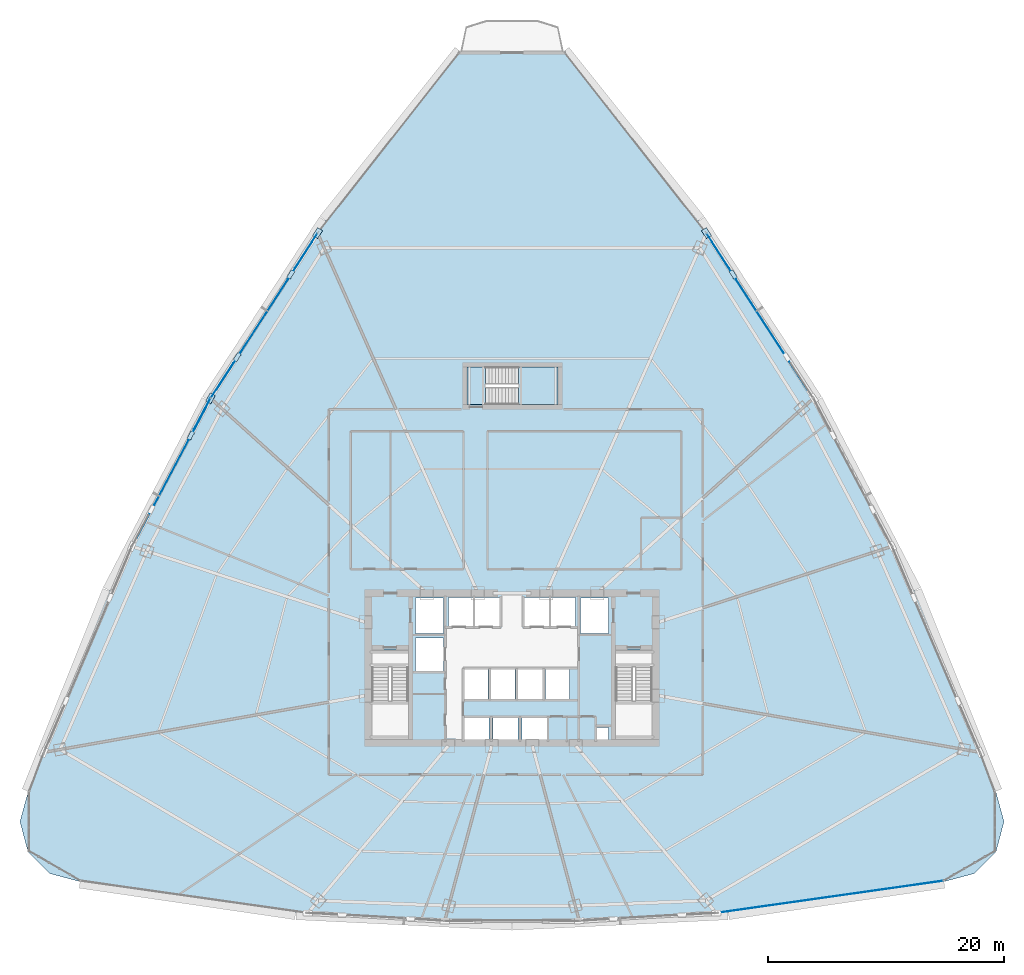
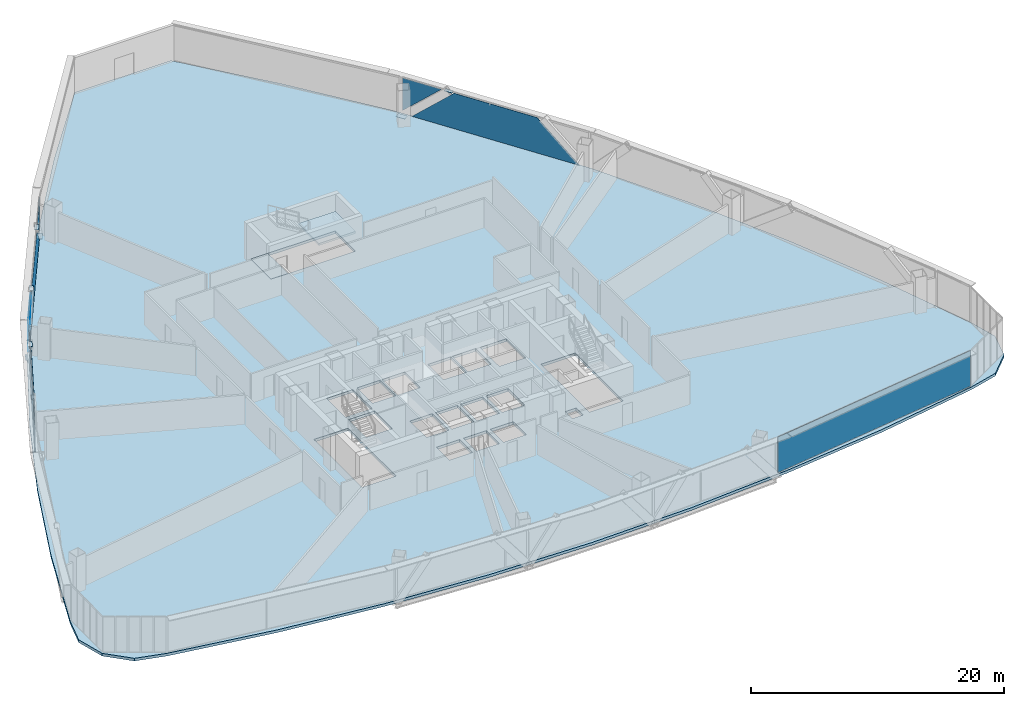
# One storey, part 31 of 41: 15 plates, 3 slabs, 5 elements without a shape of their own.
"""IFC4 building model written with IfcOpenShell, lengths in metres."""

from ifc_helpers import new_model, si_unit, direction, frame, origin, origin_2d, place, context, subcontext, project, spatial, polyline, rectangle, outline, extrude, source, transform, mapped, material, layer, layer_set, type_object, element, aggregate, save


model = new_model("IFC4")

# Units and contexts
model_context = context("Model", 3, precision=1e-05, world=origin(), true_north=direction((0.0, 1.0)))
body_context = subcontext(model_context, "Body", "Model", "MODEL_VIEW")
ifc_project = project(units=[si_unit("LENGTHUNIT", "METRE"), si_unit("AREAUNIT", "SQUARE_METRE"), si_unit("VOLUMEUNIT", "CUBIC_METRE"), si_unit("PLANEANGLEUNIT", "RADIAN"), si_unit("MASSUNIT", "GRAM", prefix="KILO"), si_unit("THERMODYNAMICTEMPERATUREUNIT", "KELVIN"), si_unit("POWERUNIT", "WATT")], contexts=[model_context])

# Site, building, storey
site_placement = place(None, origin())
site = spatial("IfcSite", under=ifc_project, at=site_placement, CompositionType="ELEMENT")
building_placement = place(site_placement, origin())
building = spatial("IfcBuilding", under=site, at=building_placement, Name="Yunzhuo Pagoda Commons", CompositionType="ELEMENT")
storey_placement = place(building_placement, frame((0.0, 0.0, 111.580078125)))
storey = spatial("IfcBuildingStorey", under=building, at=storey_placement, Name="L28", CompositionType="ELEMENT", Elevation=111.580078125)

# Curtain wall, plates
ifc_material_1 = material(Name="Anodized aluminium 6063-T6", Category="aluminium")
ifc_layer_1 = layer(ifc_material_1, 0.1650390625)
ifc_layer_set_1 = layer_set([ifc_layer_1], Name="Anodized aluminium 6063-T6")
curtain_wall_type = type_object("IfcCurtainWallType", Name="CW-LOW Low-Zone Ribbon Curtain Wall", PredefinedType="NOTDEFINED", material=ifc_layer_set_1)
curtain_wall_1_placement = place(storey_placement, origin())
curtain_wall_1 = element("IfcCurtainWall", 1, at=curtain_wall_1_placement, inside=storey, type_object=curtain_wall_type, Name="L28 curtain wall CW-L28-F2B4", PredefinedType="NOTDEFINED")
ifc_material_2 = material(Name="Tempered low-e double glazing", Category="glass")
ifc_layer_2 = layer(ifc_material_2, 0.028076171875)
ifc_layer_set_2 = layer_set([ifc_layer_2], Name="Tempered low-e double glazing")
plate_type_1 = type_object("IfcPlateType", Name="CW-LOW-P Low-E Double Glazing 28", PredefinedType="CURTAIN_PANEL", material=ifc_layer_set_2)
plate_1_placement = place(storey_placement, frame((69.01025390625, 63.730224609375, 1.77001953125), z_axis=(0.839105842503, 0.543968183884, 0.0), x_axis=(-0.543968183884, 0.839105842503, 0.0)))
plate_1 = element("IfcPlate", 2, at=plate_1_placement, type_object=plate_type_1, Name="CW panel 1.1 lite 2", PredefinedType="CURTAIN_PANEL", context=body_context, shape_type="SweptSolid", body=[
    extrude(outline(polyline([(-7.438720703125, -1.7099609375), (7.438720703125, -1.7099609375), (3.6787109375, 1.7099609375), (-3.6787109375, 1.7099609375), (-7.438720703125, -1.7099609375)])), origin(), (0.0, 0.0, 1.0), 0.028076171875),
])
plate_2_placement = place(storey_placement, frame((65.472900390625, 69.241943359375, 1.896240234375), z_axis=(0.839105842503, 0.543968183884, 0.0), x_axis=(-0.543968183884, 0.839105842503, 0.0)))
plate_2 = element("IfcPlate", 3, at=plate_2_placement, type_object=plate_type_1, Name="CW panel 1.1 lite 3", PredefinedType="CURTAIN_PANEL", context=body_context, shape_type="SweptSolid", body=[
    extrude(outline(polyline([(-1.740966796875, 1.58349609375), (1.740966796875, -1.58349609375), (1.740966796875, 1.58349609375), (-1.740966796875, 1.58349609375)])), origin(), (0.0, 0.0, 1.0), 0.028076171875),
])
aggregate(curtain_wall_1, [plate_1, plate_2])

curtain_wall_2_placement = place(storey_placement, origin())
curtain_wall_2 = element("IfcCurtainWall", 4, at=curtain_wall_2_placement, inside=storey, type_object=curtain_wall_type, Name="L28 curtain wall CW-L28-F3B2", PredefinedType="NOTDEFINED")
plate_3_placement = place(storey_placement, frame((30.527099609375, 69.241943359375, 1.896240234375), z_axis=(-0.839105842503, 0.543968183884, 0.0), x_axis=(-0.543968183884, -0.839105842503, 0.0)))
plate_3 = element("IfcPlate", 5, at=plate_3_placement, type_object=plate_type_1, Name="CW panel 1.1 lite 1", PredefinedType="CURTAIN_PANEL", context=body_context, shape_type="SweptSolid", body=[
    extrude(outline(polyline([(-1.740966796875, -1.58349609375), (1.740966796875, 1.58349609375), (-1.740966796875, 1.58349609375), (-1.740966796875, -1.58349609375)])), origin(), (0.0, 0.0, 1.0), 0.028076171875),
])
plate_4_placement = place(storey_placement, frame((26.98974609375, 63.730224609375, 1.77001953125), z_axis=(-0.839105842503, 0.543968183884, 0.0), x_axis=(-0.543968183884, -0.839105842503, 0.0)))
plate_4 = element("IfcPlate", 6, at=plate_4_placement, type_object=plate_type_1, Name="CW panel 1.1 lite 2", PredefinedType="CURTAIN_PANEL", context=body_context, shape_type="SweptSolid", body=[
    extrude(outline(polyline([(-7.438720703125, -1.7099609375), (7.438720703125, -1.7099609375), (3.6787109375, 1.7099609375), (-3.6787109375, 1.7099609375), (-7.438720703125, -1.7099609375)])), origin(), (0.0, 0.0, 1.0), 0.028076171875),
])
plate_5_placement = place(storey_placement, frame((23.402099609375, 58.251220703125, 1.896240234375), z_axis=(-0.839105842503, 0.543968183884, 0.0), x_axis=(-0.543968183884, -0.839105842503, 0.0)))
plate_5 = element("IfcPlate", 7, at=plate_5_placement, type_object=plate_type_1, Name="CW panel 1.1 lite 3", PredefinedType="CURTAIN_PANEL", context=body_context, shape_type="SweptSolid", body=[
    extrude(outline(polyline([(-1.740966796875, 1.58349609375), (1.740966796875, -1.58349609375), (1.740966796875, 1.58349609375), (-1.740966796875, 1.58349609375)])), origin(), (0.0, 0.0, 1.0), 0.028076171875),
])
aggregate(curtain_wall_2, [plate_3, plate_4, plate_5])

curtain_wall_3_placement = place(storey_placement, origin())
curtain_wall_3 = element("IfcCurtainWall", 8, at=curtain_wall_3_placement, inside=storey, type_object=curtain_wall_type, Name="L28 curtain wall CW-L28-F3B3", PredefinedType="NOTDEFINED")
plate_6_placement = place(storey_placement, frame((21.70703125, 55.392333984375, 1.922607421875), z_axis=(-0.88333303698, 0.468745928813, 0.0), x_axis=(-0.468745928813, -0.88333303698, 0.0)))
plate_6 = element("IfcPlate", 9, at=plate_6_placement, type_object=plate_type_1, Name="CW panel 1.1 lite 1", PredefinedType="CURTAIN_PANEL", context=body_context, shape_type="SweptSolid", body=[
    extrude(outline(polyline([(-1.456787109375, -1.55712890625), (1.456787109375, 1.55712890625), (-1.456787109375, 1.55712890625), (-1.456787109375, -1.55712890625)])), origin(), (0.0, 0.0, 1.0), 0.028076171875),
])
plate_7_placement = place(storey_placement, frame((19.11376953125, 50.441650390625, 1.77001953125), z_axis=(-0.88333303698, 0.468745928813, 0.0), x_axis=(-0.468745928813, -0.88333303698, 0.0)))
plate_7 = element("IfcPlate", 10, at=plate_7_placement, type_object=plate_type_1, Name="CW panel 1.1 lite 2", PredefinedType="CURTAIN_PANEL", context=body_context, shape_type="SweptSolid", body=[
    extrude(outline(polyline([(-6.290771484375, -1.7099609375), (6.290771484375, -1.7099609375), (3.091064453125, 1.7099609375), (-3.091064453125, 1.7099609375), (-6.290771484375, -1.7099609375)])), origin(), (0.0, 0.0, 1.0), 0.028076171875),
])
aggregate(curtain_wall_3, [plate_6, plate_7])

# Stair, slabs
ifc_material_3 = material(Name="Concrete C40", Category="concrete")
stair_type = type_object("IfcStairType", Name="ST-C3 North Tower Smokeproof Stair ST3", PredefinedType="HALF_TURN_STAIR", material=ifc_material_3)
stair_placement = place(storey_placement, origin())
stair = element("IfcStair", 11, at=stair_placement, inside=storey, type_object=stair_type, Name="L28 North tower smokeproof stair ST3", PredefinedType="HALF_TURN_STAIR")
ifc_layer_3 = layer(ifc_material_3, 0.2041015625)
ifc_layer_set_3 = layer_set([ifc_layer_3], Name="Concrete C40")
slab_type_1 = type_object("IfcSlabType", Name="SL-LND5 North Landing Slab 204", PredefinedType="LANDING", material=ifc_layer_set_3)
slab_1_placement = place(storey_placement, frame((0.0, 0.0, 1.699951171875)))
slab_1 = element("IfcSlab", 12, at=slab_1_placement, type_object=slab_type_1, Name="ST3 landing 1", PredefinedType="LANDING", context=body_context, shape_type="SweptSolid", body=[
    extrude(outline(polyline([(48.550048828125, 56.199951171875), (51.89990234375, 56.199951171875), (51.89990234375, 59.39990234375), (48.550048828125, 59.39990234375), (48.550048828125, 56.199951171875)])), origin(), (0.0, 0.0, 1.0), 0.199951171875),
])
slab_2_placement = place(storey_placement, frame((0.0, 0.0, -0.2001953125)))
slab_2 = element("IfcSlab", 13, at=slab_2_placement, type_object=slab_type_1, Name="ST3 floor landing L28", PredefinedType="LANDING", context=body_context, shape_type="SweptSolid", body=[
    extrude(outline(polyline([(44.199951171875, 56.199951171875), (45.75, 56.199951171875), (45.75, 59.39990234375), (44.199951171875, 59.39990234375), (44.199951171875, 56.199951171875)])), origin(), (0.0, 0.0, 1.0), 0.2001953125),
])
aggregate(stair, [slab_1, slab_2])

# Slab
ifc_layer_4 = layer(ifc_material_3, 0.260009765625)
ifc_layer_set_4 = layer_set([ifc_layer_4], Name="Concrete C40")
slab_type_2 = type_object("IfcSlabType", Name="SL-TWR Typical Tower Floor Slab 260", PredefinedType="FLOOR", material=ifc_layer_set_4)
slab_3_placement = place(storey_placement, frame((0.0, 0.0, -0.260009765625)))
element("IfcSlab", 14, at=slab_3_placement, inside=storey, type_object=slab_type_2, Name="L28 structural floor slab", PredefinedType="FLOOR", context=body_context, shape_type="SweptSolid", body=[
    extrude(outline(polyline([(10.1689453125, 32.000244140625), (13.791015625, 40.41845703125), (17.798583984375, 48.61181640625), (22.191650390625, 56.580322265625), (26.97021484375, 64.32373046875), (32.134033203125, 71.842041015625), (37.683349609375, 79.135498046875), (43.6181640625, 86.203857421875), (52.3818359375, 86.203857421875), (58.316650390625, 79.135498046875), (63.865966796875, 71.842041015625), (69.02978515625, 64.32373046875), (73.808349609375, 56.580322265625), (78.201416015625, 48.61181640625), (82.208984375, 40.41845703125), (85.8310546875, 32.000244140625), (89.06787109375, 23.356689453125), (89.759765625, 20.817138671875), (89.086181640625, 18.272705078125), (87.22802734375, 16.408203125), (84.68603515625, 15.725341796875), (75.514404296875, 14.1630859375), (66.343017578125, 13.047607421875), (57.17138671875, 12.3779296875), (48.0, 12.15478515625), (38.82861328125, 12.3779296875), (29.656982421875, 13.047607421875), (20.485595703125, 14.1630859375), (11.31396484375, 15.725341796875), (8.77197265625, 16.408203125), (6.913818359375, 18.272705078125), (6.240234375, 20.817138671875), (6.93212890625, 23.356689453125), (10.1689453125, 32.000244140625)]), holes=[polyline([(46.050048828125, 27.60009765625), (46.050048828125, 29.64990234375), (43.949951171875, 29.64990234375), (43.949951171875, 27.60009765625), (46.050048828125, 27.60009765625)]), polyline([(48.5, 27.60009765625), (48.5, 29.64990234375), (46.39990234375, 29.64990234375), (46.39990234375, 27.60009765625), (48.5, 27.60009765625)]), polyline([(36.10009765625, 27.800048828125), (39.199951171875, 27.800048828125), (39.199951171875, 35.39990234375), (36.10009765625, 35.39990234375), (36.10009765625, 27.800048828125)]), polyline([(45.969970703125, 31.199951171875), (45.969970703125, 33.800048828125), (43.929931640625, 33.800048828125), (43.929931640625, 31.199951171875), (45.969970703125, 31.199951171875)]), polyline([(48.27001953125, 31.199951171875), (48.27001953125, 33.800048828125), (46.22998046875, 33.800048828125), (46.22998046875, 31.199951171875), (48.27001953125, 31.199951171875)]), polyline([(42.199951171875, 33.60009765625), (42.199951171875, 36.39990234375), (39.800048828125, 36.39990234375), (39.800048828125, 33.60009765625), (42.199951171875, 33.60009765625)]), polyline([(42.199951171875, 36.800048828125), (42.199951171875, 39.800048828125), (39.800048828125, 39.800048828125), (39.800048828125, 36.800048828125), (42.199951171875, 36.800048828125)]), polyline([(42.60009765625, 37.39990234375), (44.699951171875, 37.39990234375), (44.699951171875, 39.85009765625), (42.60009765625, 39.85009765625), (42.60009765625, 37.39990234375)]), polyline([(44.85009765625, 37.39990234375), (46.949951171875, 37.39990234375), (46.949951171875, 39.85009765625), (44.85009765625, 39.85009765625), (44.85009765625, 37.39990234375)]), polyline([(56.179931640625, 27.699951171875), (56.179931640625, 28.800048828125), (55.179931640625, 28.800048828125), (55.179931640625, 27.699951171875), (56.179931640625, 27.699951171875)]), polyline([(50.949951171875, 27.60009765625), (50.949951171875, 29.64990234375), (48.85009765625, 29.64990234375), (48.85009765625, 27.60009765625), (50.949951171875, 27.60009765625)]), polyline([(56.800048828125, 27.800048828125), (59.89990234375, 27.800048828125), (59.89990234375, 35.39990234375), (56.800048828125, 35.39990234375), (56.800048828125, 27.800048828125)]), polyline([(50.570068359375, 31.199951171875), (50.570068359375, 33.800048828125), (48.530029296875, 33.800048828125), (48.530029296875, 31.199951171875), (50.570068359375, 31.199951171875)]), polyline([(52.8701171875, 31.199951171875), (52.8701171875, 33.800048828125), (50.830078125, 33.800048828125), (50.830078125, 31.199951171875), (52.8701171875, 31.199951171875)]), polyline([(56.199951171875, 36.800048828125), (56.199951171875, 39.800048828125), (53.800048828125, 39.800048828125), (53.800048828125, 36.800048828125), (56.199951171875, 36.800048828125)]), polyline([(51.14990234375, 37.39990234375), (51.14990234375, 39.85009765625), (49.050048828125, 39.85009765625), (49.050048828125, 37.39990234375), (51.14990234375, 37.39990234375)]), polyline([(51.300048828125, 37.39990234375), (53.39990234375, 37.39990234375), (53.39990234375, 39.85009765625), (51.300048828125, 39.85009765625), (51.300048828125, 37.39990234375)]), polyline([(44.199951171875, 56.199951171875), (51.89990234375, 56.199951171875), (51.89990234375, 59.39990234375), (44.199951171875, 59.39990234375), (44.199951171875, 56.199951171875)])]), origin(), (0.0, 0.0, 1.0), 0.260009765625),
])

# Plates
ifc_material_4 = material(Name="Structural steel Q355B", Category="steel")
ifc_layer_5 = layer(ifc_material_4, 0.028076171875)
ifc_layer_set_5 = layer_set([ifc_layer_5], Name="Structural steel Q355B")
plate_type_2 = type_object("IfcPlateType", Name="SP-ND1 Lattice Node Cap Plate 800x500x28", PredefinedType="USERDEFINED", material=ifc_layer_set_5)
shared_shape_1 = source(origin(), body_context, "Body", "SweptSolid", [
    extrude(rectangle(XDim=0.800048828125, YDim=0.5, at=origin_2d()), origin(), (0.0, 0.0, 1.0), 0.028076171875),
])
for number, where, z_axis, x_axis, name in (
    (15, (64.502197265625, 70.764892578125, -0.27392578125), (0.0, 0.0, 1.0), (-0.543965531672, 0.83910756185, 0.0), "L28 diamond node plate F2.3B"),
    (16, (31.497802734375, 70.764892578125, -0.27392578125), (0.0, 0.0, 1.0), (-0.543965531672, -0.83910756185, 0.0), "L28 diamond node plate F3.1A"),
    (17, (22.407958984375, 56.743408203125, -0.27392578125), (0.0, 0.0, 1.0), (-0.46874711881, -0.8833324055, 0.0), "L28 diamond node plate F3.2A"),
):
    element("IfcPlate", number, at=place(storey_placement, frame(where, z_axis=z_axis, x_axis=x_axis)), inside=storey, type_object=plate_type_2, Name=name, ObjectType="STIFFENER_PLATE", PredefinedType="USERDEFINED", context=body_context, shape_type="MappedRepresentation", body=[
        mapped(shared_shape_1, transform((0.0, 0.0, 0.0), scale=1.0)),
    ])
shared_shape_2 = source(origin(), body_context, "Body", "SweptSolid", [
    extrude(rectangle(XDim=0.699951171875, YDim=0.35009765625, at=origin_2d()), origin(), (0.0, 0.0, 1.0), 0.035888671875),
])
for number, where, z_axis, x_axis, name in (
    (18, (66.77490234375, 67.259521484375, 3.501953125), (0.0, 0.0, 1.0), (-0.543965531672, 0.83910756185, 0.0), "L28 setback lattice tie plate F2.3R"),
    (19, (29.22509765625, 67.259521484375, 3.501953125), (0.0, 0.0, 1.0), (-0.543965531672, -0.83910756185, 0.0), "L28 setback lattice tie plate F3.1L"),
    (20, (24.680419921875, 60.248779296875, 3.501953125), (0.0, 0.0, 1.0), (-0.543965531672, -0.83910756185, 0.0), "L28 setback lattice tie plate F3.1R"),
    (21, (20.741455078125, 53.602783203125, 3.501953125), (0.0, 0.0, 1.0), (-0.46874711881, -0.8833324055, 0.0), "L28 setback lattice tie plate F3.2L"),
):
    element("IfcPlate", number, at=place(storey_placement, frame(where, z_axis=z_axis, x_axis=x_axis)), inside=storey, type_object=plate_type_2, Name=name, ObjectType="STIFFENER_PLATE", PredefinedType="USERDEFINED", context=body_context, shape_type="MappedRepresentation", body=[
        mapped(shared_shape_2, transform((0.0, 0.0, 0.0), scale=1.0)),
    ])

# Curtain wall, plate
curtain_wall_4_placement = place(storey_placement, origin())
curtain_wall_4 = element("IfcCurtainWall", 22, at=curtain_wall_4_placement, inside=storey, type_object=curtain_wall_type, Name="L28 curtain wall CW-L28-F1B5", PredefinedType="NOTDEFINED")
shared_shape_3 = source(origin(), body_context, "Body", "SweptSolid", [
    extrude(rectangle(XDim=19.310546875, YDim=0.028076171875, at=origin_2d()), origin(), (0.0, 0.0, 1.0), 3.419921875),
])
plate_8_placement = place(storey_placement, frame((75.02197265625, 14.4296875, 0.06005859375), z_axis=(0.0, 0.0, 1.0), x_axis=(0.990093724606, 0.140408035721, 0.0)))
plate_8 = element("IfcPlate", 23, at=plate_8_placement, type_object=plate_type_1, Name="CW panel 1.1", PredefinedType="CURTAIN_PANEL", context=body_context, shape_type="MappedRepresentation", body=[
    mapped(shared_shape_3, transform((0.0, 0.0, 0.0), scale=1.0)),
])
aggregate(curtain_wall_4, [plate_8])

save(model, "model.ifc")
